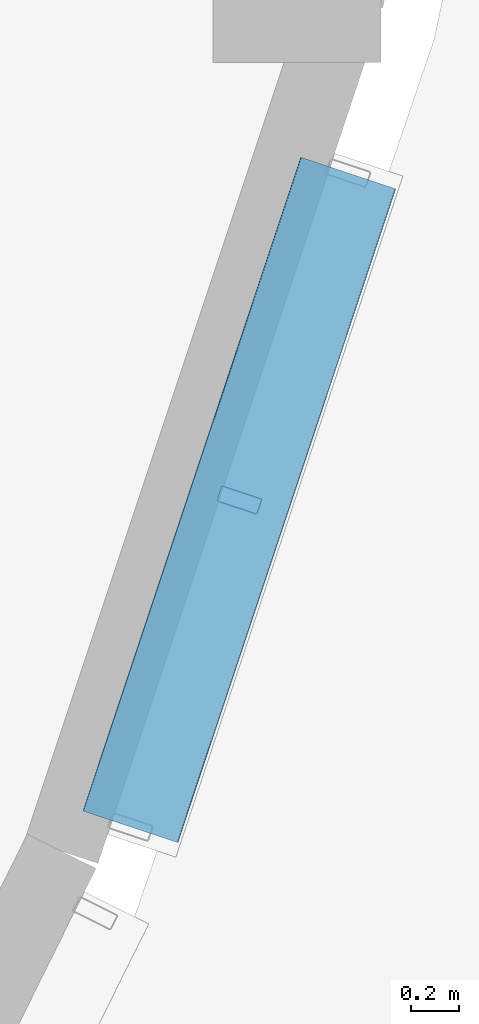
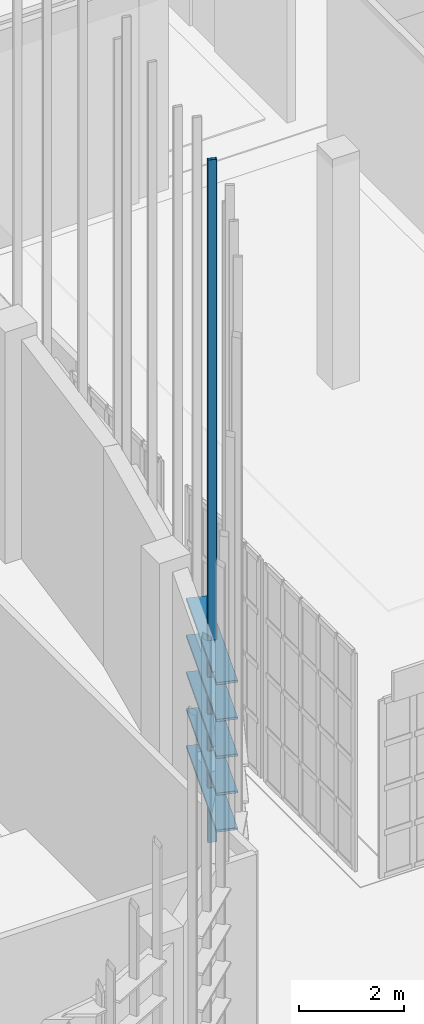
# One storey, part 271 of 372: 6 members.
"""IFC4 building model written with IfcOpenShell, lengths in metres."""

from ifc_helpers import new_model, si_unit, direction, frame, origin, origin_2d, place, context, subcontext, project, spatial, hollow_rectangle, extrude, material, material_profile, profile_set, type_object, element, save


model = new_model("IFC4")

# Units and contexts
model_context = context("Model", 3, precision=1e-05, world=origin(), true_north=direction((0.0, 1.0)))
body_context = subcontext(model_context, "Body", "Model", "MODEL_VIEW")
ifc_project = project(units=[si_unit("LENGTHUNIT", "METRE"), si_unit("AREAUNIT", "SQUARE_METRE"), si_unit("VOLUMEUNIT", "CUBIC_METRE"), si_unit("PLANEANGLEUNIT", "RADIAN"), si_unit("MASSUNIT", "GRAM", prefix="KILO")], contexts=[model_context])

# Site, building, storey
site_placement = place(None, origin())
site = spatial("IfcSite", under=ifc_project, at=site_placement, CompositionType="ELEMENT")
building_placement = place(site_placement, origin())
building = spatial("IfcBuilding", under=site, at=building_placement, Name="Kaelora Sail Theatre", CompositionType="ELEMENT")
storey_placement = place(building_placement, origin())
storey = spatial("IfcBuildingStorey", under=building, at=storey_placement, Name="L00", CompositionType="ELEMENT", Elevation=0.0)

# Members
ifc_material_1 = material(Name="Anodised aluminium 6063-T6", Category="aluminium")
ifc_material_profile_1 = material_profile(ifc_material_1, hollow_rectangle(XDim=0.419921875, YDim=0.054931640625, WallThickness=0.00390625, InnerFilletRadius=0.00390625, OuterFilletRadius=0.008056640625, at=origin_2d()), Name="LOUVRE 420x55x4")
ifc_profile_set_1 = profile_set([ifc_material_profile_1], Name="Anodised aluminium 6063-T6")
member_type_1 = type_object("IfcMemberType", Name="ARC-MEM-LVR-420", PredefinedType="USERDEFINED", material=ifc_profile_set_1)
for number, where, z_axis, x_axis, name in (
    (1, (146.06201171875, 35.3662109375, 1.25), (-0.316023981839, -0.948751201792, 0.0), (0.948751201792, -0.316023981839, 0.0), "Black-Box and Experimental Sail Wing horizontal solar louvre C5-01"),
    (2, (146.06201171875, 35.3662109375, 2.110107421875), (-0.316023981839, -0.948751201792, 0.0), (0.948751201792, -0.316023981839, 0.0), "Black-Box and Experimental Sail Wing horizontal solar louvre C5-02"),
    (3, (146.06201171875, 35.3662109375, 2.969970703125), (-0.316023981839, -0.948751201792, 0.0), (0.948751201792, -0.316023981839, 0.0), "Black-Box and Experimental Sail Wing horizontal solar louvre C5-03"),
    (4, (146.06201171875, 35.3662109375, 3.830078125), (-0.316023981839, -0.948751201792, 0.0), (0.948751201792, -0.316023981839, 0.0), "Black-Box and Experimental Sail Wing horizontal solar louvre C5-04"),
    (5, (146.06201171875, 35.3662109375, 4.68994140625), (-0.316023981839, -0.948751201792, 0.0), (0.948751201792, -0.316023981839, 0.0), "Black-Box and Experimental Sail Wing horizontal solar louvre C5-05"),
):
    element("IfcMember", number, at=place(storey_placement, frame(where, z_axis=z_axis, x_axis=x_axis)), inside=storey, type_object=member_type_1, Name=name, ObjectType="LOUVRE", PredefinedType="USERDEFINED", context=body_context, shape_type="SweptSolid", body=[
        extrude(hollow_rectangle(XDim=0.419921875, YDim=0.054931640625, WallThickness=0.00390625, InnerFilletRadius=0.00390625, OuterFilletRadius=0.008056640625, at=origin_2d()), origin(), (0.0, 0.0, 1.0), 2.87548828125),
    ])
ifc_material_2 = material(Name="Anodised aluminium 6063-T6", Category="aluminium")
ifc_material_profile_2 = material_profile(ifc_material_2, hollow_rectangle(XDim=0.070068359375, YDim=0.179931640625, WallThickness=0.00390625, InnerFilletRadius=0.00390625, OuterFilletRadius=0.008056640625, at=origin_2d()), Name="ALU-MULL 70x180x4")
ifc_profile_set_2 = profile_set([ifc_material_profile_2], Name="Anodised aluminium 6063-T6")
member_type_2 = type_object("IfcMemberType", Name="ARC-MEM-PST-160", PredefinedType="POST", material=ifc_profile_set_2)
member_placement = place(storey_placement, frame((145.607666015625, 34.002197265625, 0.0), z_axis=(0.0, 0.0, 1.0), x_axis=(-0.316145823974, -0.948710608133, 0.0)))
element("IfcMember", 6, at=member_placement, inside=storey, type_object=member_type_2, Name="Black-Box and Experimental Sail Wing solar louvre vertical support post C5-2", PredefinedType="POST", context=body_context, shape_type="SweptSolid", body=[
    extrude(hollow_rectangle(XDim=0.070068359375, YDim=0.179931640625, WallThickness=0.00390625, InnerFilletRadius=0.00390625, OuterFilletRadius=0.008056640625, at=origin_2d()), origin(), (0.0, 0.0, 1.0), 15.92041015625),
])

save(model, "model.ifc")
